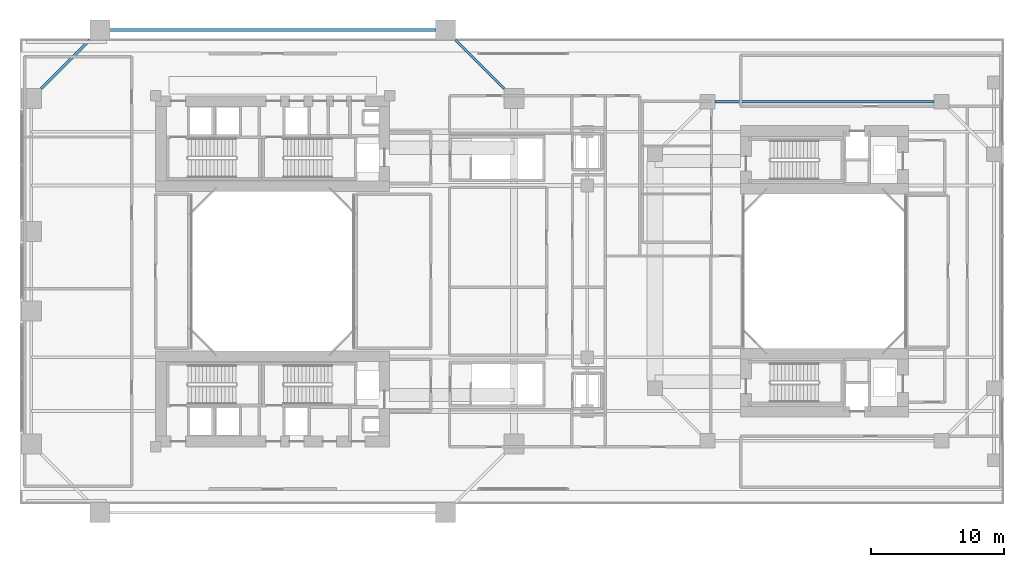
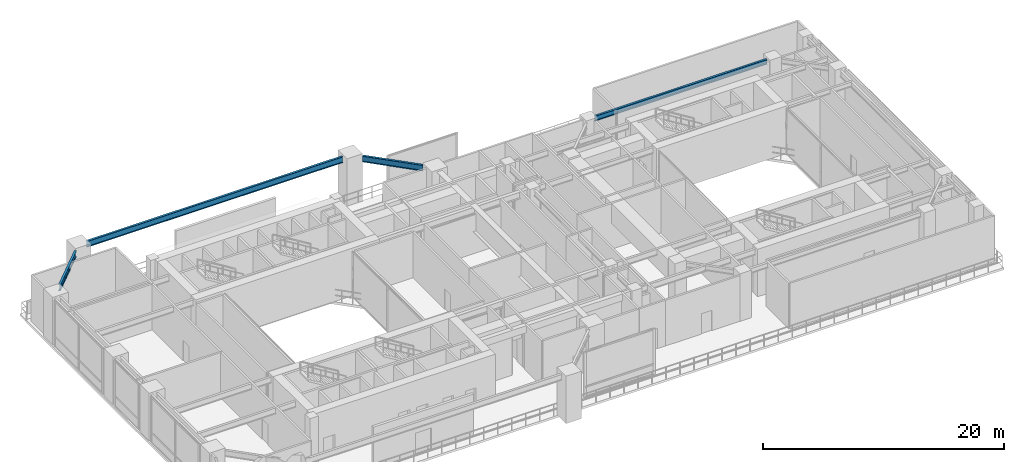
# One storey, part 7 of 19: 4 beams.
"""IFC4 building model written with IfcOpenShell, lengths in metres."""

from ifc_helpers import new_model, si_unit, direction, frame, origin, origin_2d, place, context, subcontext, project, spatial, i_section, extrude, source, transform, mapped, material, material_profile, profile_set, type_object, element, save


model = new_model("IFC4")

# Units and contexts
model_context = context("Model", 3, precision=1e-05, world=origin(), true_north=direction((0.0, 1.0)))
body_context = subcontext(model_context, "Body", "Model", "MODEL_VIEW")
ifc_project = project(units=[si_unit("LENGTHUNIT", "METRE"), si_unit("AREAUNIT", "SQUARE_METRE"), si_unit("VOLUMEUNIT", "CUBIC_METRE"), si_unit("PLANEANGLEUNIT", "RADIAN"), si_unit("MASSUNIT", "GRAM", prefix="KILO"), si_unit("THERMODYNAMICTEMPERATUREUNIT", "KELVIN"), si_unit("POWERUNIT", "WATT")], contexts=[model_context])

# Site, building, storey
site_placement = place(None, origin())
site = spatial("IfcSite", under=ifc_project, at=site_placement, CompositionType="ELEMENT")
building_placement = place(site_placement, origin())
building = spatial("IfcBuilding", under=site, at=building_placement, Name="Qiaomeng Ring Towers", CompositionType="ELEMENT")
storey_placement = place(building_placement, frame((0.0, 0.0, 18.199951171875)))
storey = spatial("IfcBuildingStorey", under=building, at=storey_placement, Name="L04", CompositionType="ELEMENT", Elevation=18.199951171875)

# Beams
ifc_material = material(Name="Steel Q355B", Category="steel")
ifc_material_profile_1 = material_profile(ifc_material, i_section(OverallWidth=0.199951171875, OverallDepth=0.60009765625, WebThickness=0.010986328125, FlangeThickness=0.01708984375, FilletRadius=0.02197265625, at=origin_2d()), Name="HN 600x200x11x17")
ifc_profile_set_1 = profile_set([ifc_material_profile_1], Name="Steel Q355B")
beam_type_1 = type_object("IfcBeamType", Name="STR-BM-HN600", PredefinedType="BEAM", material=ifc_profile_set_1)
shared_shape_1 = source(origin(), body_context, "Body", "SweptSolid", [
    extrude(i_section(OverallWidth=0.199951171875, OverallDepth=0.60009765625, WebThickness=0.010986328125, FlangeThickness=0.01708984375, FilletRadius=0.02197265625, at=origin_2d()), origin(), (0.0, 0.0, 1.0), 24.501953125),
])
beam_1_placement = place(storey_placement, frame((31.2509765625, 41.14990234375, 4.320068359375), z_axis=(-1.0, 0.0, 0.0), x_axis=(0.0, -1.0, 0.0)))
element("IfcBeam", 1, at=beam_1_placement, inside=storey, type_object=beam_type_1, Name="L04 beam STR-SP-L04-T1-4", PredefinedType="BEAM", context=body_context, shape_type="MappedRepresentation", body=[
    mapped(shared_shape_1, transform((0.0, 0.0, 0.0), x_axis=(1.0, 0.0, 0.0), y_axis=(0.0, 1.0, 0.0), z_axis=(0.0, 0.0, 1.0), scale=1.0)),
])
shared_shape_2 = source(origin(), body_context, "Body", "SweptSolid", [
    extrude(i_section(OverallWidth=0.199951171875, OverallDepth=0.60009765625, WebThickness=0.010986328125, FlangeThickness=0.01708984375, FilletRadius=0.02197265625, at=origin_2d()), origin(), (0.0, 0.0, 1.0), 5.163818359375),
])
for number, where, z_axis, x_axis, name in (
    (2, (36.400634765625, 36.749267578125, 4.320068359375), (-0.707106781187, 0.707106781187, 0.0), (-0.707106781187, -0.707106781187, 0.0), "L04 beam STR-SP-L04-T1-3"),
    (3, (5.250732421875, 40.400634765625, 4.320068359375), (-0.707106781187, -0.707106781187, 0.0), (0.707106781187, -0.707106781187, 0.0), "L04 beam STR-SP-L04-T1-5"),
):
    element("IfcBeam", number, at=place(storey_placement, frame(where, z_axis=z_axis, x_axis=x_axis)), inside=storey, type_object=beam_type_1, Name=name, PredefinedType="BEAM", context=body_context, shape_type="MappedRepresentation", body=[
        mapped(shared_shape_2, transform((0.0, 0.0, 0.0), x_axis=(1.0, 0.0, 0.0), y_axis=(0.0, 1.0, 0.0), z_axis=(0.0, 0.0, 1.0), scale=1.0)),
    ])
ifc_material_profile_2 = material_profile(ifc_material, i_section(OverallWidth=0.199951171875, OverallDepth=0.5, WebThickness=0.010009765625, FlangeThickness=0.01611328125, FilletRadius=0.02001953125, at=origin_2d()), Name="HN 500x200x10x16")
ifc_profile_set_2 = profile_set([ifc_material_profile_2], Name="Steel Q355B")
beam_type_2 = type_object("IfcBeamType", Name="STR-BM-HN500", PredefinedType="BEAM", material=ifc_profile_set_2)
shared_shape_3 = source(origin(), body_context, "Body", "SweptSolid", [
    extrude(i_section(OverallWidth=0.199951171875, OverallDepth=0.5, WebThickness=0.010009765625, FlangeThickness=0.01611328125, FilletRadius=0.02001953125, at=origin_2d()), origin(), (0.0, 0.0, 1.0), 16.501953125),
])
beam_2_placement = place(storey_placement, frame((68.7509765625, 35.75, 4.3701171875), z_axis=(-1.0, 0.0, 0.0), x_axis=(0.0, -1.0, 0.0)))
element("IfcBeam", 4, at=beam_2_placement, inside=storey, type_object=beam_type_2, Name="L04 beam STR-SP-L04-T2-5", PredefinedType="BEAM", context=body_context, shape_type="MappedRepresentation", body=[
    mapped(shared_shape_3, transform((0.0, 0.0, 0.0), x_axis=(1.0, 0.0, 0.0), y_axis=(0.0, 1.0, 0.0), z_axis=(0.0, 0.0, 1.0), scale=1.0)),
])

save(model, "model.ifc")
